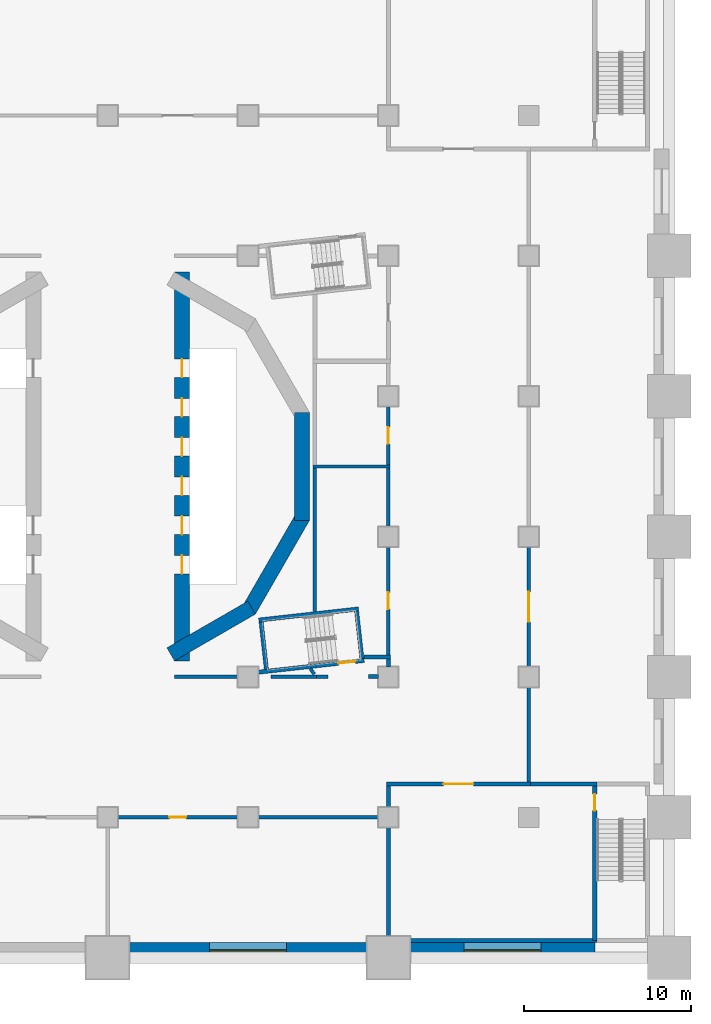
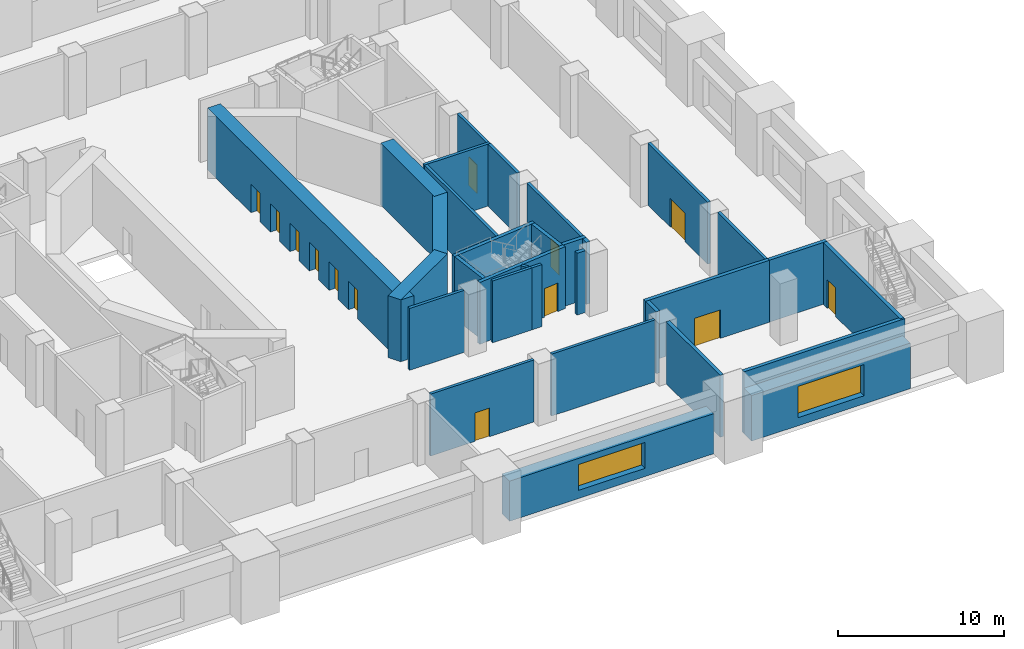
# One storey, part 3 of 17: 32 walls, 13 doors, 2 windows, 15 openings.
"""IFC4 building model written with IfcOpenShell, lengths in metres."""

from ifc_helpers import new_model, si_unit, direction, frame, frame_2d, origin, place, context, subcontext, project, spatial, rectangle, extrude, material, layer, layer_set, type_object, element, fill, save


model = new_model("IFC4")

# Units and contexts
model_context = context("Model", 3, precision=1e-05, world=origin(), true_north=direction((0.0, 1.0)))
body_context = subcontext(model_context, "Body", "Model", "MODEL_VIEW")
ifc_project = project(units=[si_unit("LENGTHUNIT", "METRE"), si_unit("AREAUNIT", "SQUARE_METRE"), si_unit("VOLUMEUNIT", "CUBIC_METRE"), si_unit("PLANEANGLEUNIT", "RADIAN"), si_unit("MASSUNIT", "GRAM", prefix="KILO")], contexts=[model_context])

# Site, building, storey
site_placement = place(None, origin())
site = spatial("IfcSite", under=ifc_project, at=site_placement, CompositionType="ELEMENT")
building_placement = place(site_placement, origin())
building = spatial("IfcBuilding", under=site, at=building_placement, Name="Cantera Rosa Tower", CompositionType="ELEMENT")
storey_placement = place(building_placement, frame((0.0, 0.0, 32.0)))
storey = spatial("IfcBuildingStorey", under=building, at=storey_placement, Name="L05", CompositionType="ELEMENT", Elevation=32.0)

# Walls
ifc_material_1 = material(Name="Masonry blockwork", Category="masonry")
ifc_layer_1 = layer(ifc_material_1, 0.199951171875)
ifc_layer_set_1 = layer_set([ifc_layer_1], Name="Blockwork partition 200")
wall_type_1 = type_object("IfcWallType", Name="Blockwork partition 200", PredefinedType="PARTITIONING", material=ifc_layer_set_1)
wall_1_placement = place(storey_placement, frame((4.0, -12.57666015625, 0.0), z_axis=(0.0, 0.0, 1.0), x_axis=(1.0, 0.0, 0.0)))
element("IfcWall", 1, at=wall_1_placement, inside=storey, type_object=wall_type_1, Name="Partition L05-3", PredefinedType="PARTITIONING", context=body_context, shape_type="SweptSolid", body=[
    extrude(rectangle(XDim=3.800048828125, YDim=0.199951171875, at=frame_2d((1.89990234375, 0.0))), origin(), (0.0, 0.0, 1.0), 4.550048828125),
])
wall_2_placement = place(storey_placement, frame((9.768798828125, -12.57666015625, 0.0), z_axis=(0.0, 0.0, 1.0), x_axis=(1.0, 0.0, 0.0)))
element("IfcWall", 2, at=wall_2_placement, inside=storey, type_object=wall_type_1, Name="Partition L05-4", PredefinedType="PARTITIONING", context=body_context, shape_type="SweptSolid", body=[
    extrude(rectangle(XDim=2.731201171875, YDim=0.199951171875, at=frame_2d((1.36572265625, 0.0))), origin(), (0.0, 0.0, 1.0), 4.550048828125),
])
wall_3_placement = place(storey_placement, frame((12.5, -12.57666015625, 0.0), z_axis=(0.0, 0.0, 1.0), x_axis=(1.0, 0.0, 0.0)))
element("IfcWall", 3, at=wall_3_placement, inside=storey, type_object=wall_type_1, Name="Partition L05-5", PredefinedType="PARTITIONING", context=body_context, shape_type="SweptSolid", body=[
    extrude(rectangle(XDim=0.69873046875, YDim=0.199951171875, at=frame_2d((0.349365234375, 0.0))), origin(), (0.0, 0.0, 1.0), 4.550048828125),
])
wall_4_placement = place(storey_placement, frame((12.36474609375, -12.427978515625, 0.0), z_axis=(0.0, 0.0, 1.0), x_axis=(-0.586657106045, 0.809835440029, 0.0)))
element("IfcWall", 4, at=wall_4_placement, inside=storey, type_object=wall_type_1, Name="Partition L05-17", PredefinedType="PARTITIONING", context=body_context, shape_type="SweptSolid", body=[
    extrude(rectangle(XDim=0.412353515625, YDim=0.199951171875, at=frame_2d((0.2060546875, 0.0))), origin(), (0.0, 0.0, 1.0), 4.550048828125),
])
wall_5_placement = place(storey_placement, frame((12.39990234375, -8.6923828125, 0.0), z_axis=(0.0, 0.0, 1.0), x_axis=(0.0, 1.0, 0.0)))
element("IfcWall", 5, at=wall_5_placement, inside=storey, type_object=wall_type_1, Name="Partition L05-18", PredefinedType="PARTITIONING", context=body_context, shape_type="SweptSolid", body=[
    extrude(rectangle(XDim=8.59228515625, YDim=0.199951171875, at=frame_2d((4.296142578125, 0.0))), origin(), (0.0, 0.0, 1.0), 4.550048828125),
])
wall_6_placement = place(storey_placement, frame((12.300048828125, 0.0, 0.0), z_axis=(0.0, 0.0, 1.0), x_axis=(1.0, 0.0, 0.0)))
element("IfcWall", 6, at=wall_6_placement, inside=storey, type_object=wall_type_1, Name="Partition L05-21", PredefinedType="PARTITIONING", context=body_context, shape_type="SweptSolid", body=[
    extrude(rectangle(XDim=4.599853515625, YDim=0.199951171875, at=frame_2d((2.2998046875, 0.0))), origin(), (0.0, 0.0, 1.0), 4.550048828125),
])

# Wall, opening, door
wall_7_placement = place(storey_placement, frame((16.800048828125, -11.27490234375, 0.0), z_axis=(0.0, 0.0, 1.0), x_axis=(0.0, 1.0, 0.0)))
wall_7 = element("IfcWall", 7, at=wall_7_placement, inside=storey, type_object=wall_type_1, Name="Partition L05-25", PredefinedType="PARTITIONING", context=body_context, shape_type="SweptSolid", body=[
    extrude(rectangle(XDim=6.474853515625, YDim=0.199951171875, at=frame_2d((3.2373046875, 0.0))), origin(), (0.0, 0.0, 1.0), 4.550048828125),
])
opening_1_placement = place(wall_7_placement, frame((2.737548828125, 0.0, 0.0)))
opening_1 = element("IfcOpeningElement", 8, at=opening_1_placement, cuts=wall_7, Name="Opening L05-008", PredefinedType="OPENING", context=body_context, shape_type="SweptSolid", body=[
    extrude(rectangle(XDim=1.0, YDim=2.10009765625, at=frame_2d((0.5, 1.050048828125))), frame((0.0, 0.10986328125, 0.0), z_axis=(0.0, -1.0, 0.0), x_axis=(1.0, 0.0, 0.0)), (0.0, 0.0, 1.0), 0.219970703125),
])
ifc_material_2 = material(Name="Timber", Category="wood")
door_type_1 = type_object("IfcDoorType", Name="Door 1000x2100", OperationType="NOTDEFINED", PredefinedType="DOOR", material=ifc_material_2)
door_1_placement = place(opening_1_placement, origin())
door_1 = element("IfcDoor", 9, at=door_1_placement, inside=storey, type_object=door_type_1, Name="Door L05-008", OverallHeight=2.10009765625, OverallWidth=1.0, PredefinedType="DOOR", context=body_context, shape_type="SweptSolid", body=[
    extrude(rectangle(XDim=1.0, YDim=2.10009765625, at=frame_2d((0.5, 1.050048828125))), frame((0.0, 0.02490234375, 0.0), z_axis=(0.0, -1.0, 0.0), x_axis=(1.0, 0.0, 0.0)), (0.0, 0.0, 1.0), 0.050048828125),
])
fill(opening_1, door_1)

# Wall
wall_8_placement = place(storey_placement, frame((16.800048828125, -3.60009765625, 0.0), z_axis=(0.0, 0.0, 1.0), x_axis=(0.0, 1.0, 0.0)))
element("IfcWall", 10, at=wall_8_placement, inside=storey, type_object=wall_type_1, Name="Partition L05-26", PredefinedType="PARTITIONING", context=body_context, shape_type="SweptSolid", body=[
    extrude(rectangle(XDim=3.5, YDim=0.199951171875, at=frame_2d((1.75, 0.0))), origin(), (0.0, 0.0, 1.0), 4.550048828125),
])

# Wall, opening, door
wall_9_placement = place(storey_placement, frame((16.800048828125, 0.10009765625, 0.0), z_axis=(0.0, 0.0, 1.0), x_axis=(0.0, 1.0, 0.0)))
wall_9 = element("IfcWall", 11, at=wall_9_placement, inside=storey, type_object=wall_type_1, Name="Partition L05-27", PredefinedType="PARTITIONING", context=body_context, shape_type="SweptSolid", body=[
    extrude(rectangle(XDim=3.5, YDim=0.199951171875, at=frame_2d((1.75, 0.0))), origin(), (0.0, 0.0, 1.0), 4.550048828125),
])
opening_2_placement = place(wall_9_placement, frame((1.25, 0.0, 0.0)))
opening_2 = element("IfcOpeningElement", 12, at=opening_2_placement, cuts=wall_9, Name="Opening L05-009", PredefinedType="OPENING", context=body_context, shape_type="SweptSolid", body=[
    extrude(rectangle(XDim=1.0, YDim=2.10009765625, at=frame_2d((0.5, 1.050048828125))), frame((0.0, 0.10986328125, 0.0), z_axis=(0.0, -1.0, 0.0), x_axis=(1.0, 0.0, 0.0)), (0.0, 0.0, 1.0), 0.219970703125),
])
door_2_placement = place(opening_2_placement, origin())
door_2 = element("IfcDoor", 13, at=door_2_placement, inside=storey, type_object=door_type_1, Name="Door L05-009", OverallHeight=2.10009765625, OverallWidth=1.0, PredefinedType="DOOR", context=body_context, shape_type="SweptSolid", body=[
    extrude(rectangle(XDim=1.0, YDim=2.10009765625, at=frame_2d((0.5, 1.050048828125))), frame((0.0, 0.02490234375, 0.0), z_axis=(0.0, -1.0, 0.0), x_axis=(1.0, 0.0, 0.0)), (0.0, 0.0, 1.0), 0.050048828125),
])
fill(opening_2, door_2)

wall_10_placement = place(storey_placement, frame((0.60009765625, -21.0, 0.0), z_axis=(0.0, 0.0, 1.0), x_axis=(1.0, 0.0, 0.0)))
wall_10 = element("IfcWall", 14, at=wall_10_placement, inside=storey, type_object=wall_type_1, Name="Partition L05-84", PredefinedType="PARTITIONING", context=body_context, shape_type="SweptSolid", body=[
    extrude(rectangle(XDim=7.199951171875, YDim=0.199951171875, at=frame_2d((3.60009765625, 0.0))), origin(), (0.0, 0.0, 1.0), 4.550048828125),
])
opening_3_placement = place(wall_10_placement, frame((3.10009765625, 0.0, 0.0)))
opening_3 = element("IfcOpeningElement", 15, at=opening_3_placement, cuts=wall_10, Name="Opening L05-004", PredefinedType="OPENING", context=body_context, shape_type="SweptSolid", body=[
    extrude(rectangle(XDim=1.0, YDim=2.10009765625, at=frame_2d((0.5, 1.050048828125))), frame((0.0, 0.10986328125, 0.0), z_axis=(0.0, -1.0, 0.0), x_axis=(1.0, 0.0, 0.0)), (0.0, 0.0, 1.0), 0.219970703125),
])
door_3_placement = place(opening_3_placement, origin())
door_3 = element("IfcDoor", 16, at=door_3_placement, inside=storey, type_object=door_type_1, Name="Door L05-004", OverallHeight=2.10009765625, OverallWidth=1.0, PredefinedType="DOOR", context=body_context, shape_type="SweptSolid", body=[
    extrude(rectangle(XDim=1.0, YDim=2.10009765625, at=frame_2d((0.5, 1.050048828125))), frame((0.0, 0.02490234375, 0.0), z_axis=(0.0, -1.0, 0.0), x_axis=(1.0, 0.0, 0.0)), (0.0, 0.0, 1.0), 0.050048828125),
])
fill(opening_3, door_3)

# Walls
wall_11_placement = place(storey_placement, frame((9.0, -21.0, 0.0), z_axis=(0.0, 0.0, 1.0), x_axis=(1.0, 0.0, 0.0)))
element("IfcWall", 17, at=wall_11_placement, inside=storey, type_object=wall_type_1, Name="Partition L05-85", PredefinedType="PARTITIONING", context=body_context, shape_type="SweptSolid", body=[
    extrude(rectangle(XDim=7.199951171875, YDim=0.199951171875, at=frame_2d((3.60009765625, 0.0))), origin(), (0.0, 0.0, 1.0), 4.550048828125),
])
wall_12_placement = place(storey_placement, frame((25.199951171875, -18.875, 0.0), z_axis=(0.0, 0.0, 1.0), x_axis=(0.0, 1.0, 0.0)))
element("IfcWall", 18, at=wall_12_placement, inside=storey, type_object=wall_type_1, Name="Partition L05-86", PredefinedType="PARTITIONING", context=body_context, shape_type="SweptSolid", body=[
    extrude(rectangle(XDim=5.675048828125, YDim=0.199951171875, at=frame_2d((2.83740234375, 0.0))), origin(), (0.0, 0.0, 1.0), 4.550048828125),
])

# Wall, opening, door
wall_13_placement = place(storey_placement, frame((25.199951171875, -12.0, 0.0), z_axis=(0.0, 0.0, 1.0), x_axis=(0.0, 1.0, 0.0)))
wall_13 = element("IfcWall", 19, at=wall_13_placement, inside=storey, type_object=wall_type_1, Name="Partition L05-87", PredefinedType="PARTITIONING", context=body_context, shape_type="SweptSolid", body=[
    extrude(rectangle(XDim=7.199951171875, YDim=0.199951171875, at=frame_2d((3.60009765625, 0.0))), origin(), (0.0, 0.0, 1.0), 4.550048828125),
])
opening_4_placement = place(wall_13_placement, frame((2.699951171875, 0.0, 0.0)))
opening_4 = element("IfcOpeningElement", 20, at=opening_4_placement, cuts=wall_13, Name="Opening L05-005", PredefinedType="OPENING", context=body_context, shape_type="SweptSolid", body=[
    extrude(rectangle(XDim=1.800048828125, YDim=2.10009765625, at=frame_2d((0.89990234375, 1.050048828125))), frame((0.0, 0.10986328125, 0.0), z_axis=(0.0, -1.0, 0.0), x_axis=(1.0, 0.0, 0.0)), (0.0, 0.0, 1.0), 0.219970703125),
])
ifc_material_3 = material(Name="Timber", Category="wood")
door_type_2 = type_object("IfcDoorType", Name="Double door 1800x2100", OperationType="NOTDEFINED", PredefinedType="DOOR", material=ifc_material_3)
door_4_placement = place(opening_4_placement, origin())
door_4 = element("IfcDoor", 21, at=door_4_placement, inside=storey, type_object=door_type_2, Name="Door L05-005", OperationType="DOUBLE_DOOR_SINGLE_SWING", OverallHeight=2.10009765625, OverallWidth=1.800048828125, PredefinedType="DOOR", context=body_context, shape_type="SweptSolid", body=[
    extrude(rectangle(XDim=1.800048828125, YDim=2.10009765625, at=frame_2d((0.89990234375, 1.050048828125))), frame((0.0, 0.02490234375, 0.0), z_axis=(0.0, -1.0, 0.0), x_axis=(1.0, 0.0, 0.0)), (0.0, 0.0, 1.0), 0.050048828125),
])
fill(opening_4, door_4)

# Walls
ifc_material_4 = material(Name="Concrete C70/85", Category="concrete")
ifc_layer_2 = layer(ifc_material_4, 0.89990234375)
ifc_layer_set_2 = layer_set([ifc_layer_2], Name="Drum wall 900")
wall_type_2 = type_object("IfcWallType", Name="Drum wall 900", PredefinedType="SHEAR", material=ifc_layer_set_2)
wall_14_placement = place(storey_placement, frame((11.6240234375, 3.2353515625, 0.0), z_axis=(0.0, 0.0, 1.0), x_axis=(0.0, -1.0, 0.0)))
element("IfcWall", 22, at=wall_14_placement, inside=storey, type_object=wall_type_2, Name="Drum wall east 3 L05", PredefinedType="SHEAR", context=body_context, shape_type="SweptSolid", body=[
    extrude(rectangle(XDim=6.470703125, YDim=0.89990234375, at=frame_2d((3.2353515625, 0.0))), origin(), (0.0, 0.0, 1.0), 4.550048828125),
])
wall_15_placement = place(storey_placement, frame((11.684326171875, -3.01025390625, 0.0), z_axis=(0.0, 0.0, 1.0), x_axis=(-0.499990282633, -0.866031014036, 0.0)))
element("IfcWall", 23, at=wall_15_placement, inside=storey, type_object=wall_type_2, Name="Drum wall east 4 L05", PredefinedType="SHEAR", context=body_context, shape_type="SweptSolid", body=[
    extrude(rectangle(XDim=6.470458984375, YDim=0.89990234375, at=frame_2d((3.2353515625, 0.0))), origin(), (0.0, 0.0, 1.0), 4.550048828125),
])
wall_16_placement = place(storey_placement, frame((8.61376953125, -8.44921875, 0.0), z_axis=(0.0, 0.0, 1.0), x_axis=(-0.866026961591, -0.49999730179, 0.0)))
element("IfcWall", 24, at=wall_16_placement, inside=storey, type_object=wall_type_2, Name="Drum wall east 5 L05", PredefinedType="SHEAR", context=body_context, shape_type="SweptSolid", body=[
    extrude(rectangle(XDim=5.58740234375, YDim=0.89990234375, at=frame_2d((2.793701171875, 0.0))), origin(), (0.0, 0.0, 1.0), 4.550048828125),
])

# Wall, openings, doors
wall_17_placement = place(storey_placement, frame((4.449951171875, -11.632568359375, 0.0), z_axis=(0.0, 0.0, 1.0), x_axis=(0.0, 1.0, 0.0)))
wall_17 = element("IfcWall", 25, at=wall_17_placement, inside=storey, type_object=wall_type_2, Name="Drum wall east 6 L05", PredefinedType="SHEAR", context=body_context, shape_type="SweptSolid", body=[
    extrude(rectangle(XDim=23.26513671875, YDim=0.89990234375, at=frame_2d((11.632568359375, 0.0))), origin(), (0.0, 0.0, 1.0), 4.550048828125),
])
opening_5_placement = place(wall_17_placement, frame((7.5576171875, 0.0, 0.0)))
opening_5 = element("IfcOpeningElement", 26, at=opening_5_placement, cuts=wall_17, Name="Opening LD-FF1-L05", PredefinedType="OPENING", context=body_context, shape_type="SweptSolid", body=[
    extrude(rectangle(XDim=1.10009765625, YDim=2.10009765625, at=frame_2d((0.550048828125, 1.050048828125))), frame((0.0, 0.4599609375, 0.0), z_axis=(0.0, -1.0, 0.0), x_axis=(1.0, 0.0, 0.0)), (0.0, 0.0, 1.0), 0.919921875),
])
opening_6_placement = place(wall_17_placement, frame((9.907470703125, 0.0, 0.0)))
opening_6 = element("IfcOpeningElement", 27, at=opening_6_placement, cuts=wall_17, Name="Opening LD-FF2-L05", PredefinedType="OPENING", context=body_context, shape_type="SweptSolid", body=[
    extrude(rectangle(XDim=1.10009765625, YDim=2.10009765625, at=frame_2d((0.550048828125, 1.050048828125))), frame((0.0, 0.4599609375, 0.0), z_axis=(0.0, -1.0, 0.0), x_axis=(1.0, 0.0, 0.0)), (0.0, 0.0, 1.0), 0.919921875),
])
opening_7_placement = place(wall_17_placement, frame((12.257568359375, 0.0, 0.0)))
opening_7 = element("IfcOpeningElement", 28, at=opening_7_placement, cuts=wall_17, Name="Opening LD-P1-L05", PredefinedType="OPENING", context=body_context, shape_type="SweptSolid", body=[
    extrude(rectangle(XDim=1.10009765625, YDim=2.10009765625, at=frame_2d((0.550048828125, 1.050048828125))), frame((0.0, 0.4599609375, 0.0), z_axis=(0.0, -1.0, 0.0), x_axis=(1.0, 0.0, 0.0)), (0.0, 0.0, 1.0), 0.919921875),
])
opening_8_placement = place(wall_17_placement, frame((14.607421875, 0.0, 0.0)))
opening_8 = element("IfcOpeningElement", 29, at=opening_8_placement, cuts=wall_17, Name="Opening LD-P2-L05", PredefinedType="OPENING", context=body_context, shape_type="SweptSolid", body=[
    extrude(rectangle(XDim=1.10009765625, YDim=2.10009765625, at=frame_2d((0.550048828125, 1.050048828125))), frame((0.0, 0.4599609375, 0.0), z_axis=(0.0, -1.0, 0.0), x_axis=(1.0, 0.0, 0.0)), (0.0, 0.0, 1.0), 0.919921875),
])
opening_9_placement = place(wall_17_placement, frame((5.20751953125, 0.0, 0.0)))
opening_9 = element("IfcOpeningElement", 30, at=opening_9_placement, cuts=wall_17, Name="Opening LD-P6-L05", PredefinedType="OPENING", context=body_context, shape_type="SweptSolid", body=[
    extrude(rectangle(XDim=1.10009765625, YDim=2.10009765625, at=frame_2d((0.550048828125, 1.050048828125))), frame((0.0, 0.4599609375, 0.0), z_axis=(0.0, -1.0, 0.0), x_axis=(1.0, 0.0, 0.0)), (0.0, 0.0, 1.0), 0.919921875),
])
opening_10_placement = place(wall_17_placement, frame((16.95751953125, 0.0, 0.0)))
opening_10 = element("IfcOpeningElement", 31, at=opening_10_placement, cuts=wall_17, Name="Opening LD-PC1-L05", PredefinedType="OPENING", context=body_context, shape_type="SweptSolid", body=[
    extrude(rectangle(XDim=1.10009765625, YDim=2.10009765625, at=frame_2d((0.550048828125, 1.050048828125))), frame((0.0, 0.4599609375, 0.0), z_axis=(0.0, -1.0, 0.0), x_axis=(1.0, 0.0, 0.0)), (0.0, 0.0, 1.0), 0.919921875),
])
ifc_material_5 = material(Name="Steel S355J2 (EN 10025-2)", Category="steel")
door_type_3 = type_object("IfcDoorType", Name="LANDING DOOR 1100x2100", OperationType="NOTDEFINED", PredefinedType="DOOR", material=ifc_material_5)
door_5_placement = place(opening_5_placement, origin())
door_5 = element("IfcDoor", 32, at=door_5_placement, inside=storey, type_object=door_type_3, Name="LANDING DOOR FF1 L05", OperationType="SLIDING_TO_LEFT", OverallHeight=2.10009765625, OverallWidth=1.10009765625, PredefinedType="DOOR", context=body_context, shape_type="SweptSolid", body=[
    extrude(rectangle(XDim=1.10009765625, YDim=2.10009765625, at=frame_2d((0.550048828125, 1.050048828125))), frame((0.0, 0.02490234375, 0.0), z_axis=(0.0, -1.0, 0.0), x_axis=(1.0, 0.0, 0.0)), (0.0, 0.0, 1.0), 0.050048828125),
])
fill(opening_5, door_5)
door_6_placement = place(opening_6_placement, origin())
door_6 = element("IfcDoor", 33, at=door_6_placement, inside=storey, type_object=door_type_3, Name="LANDING DOOR FF2 L05", OperationType="SLIDING_TO_LEFT", OverallHeight=2.10009765625, OverallWidth=1.10009765625, PredefinedType="DOOR", context=body_context, shape_type="SweptSolid", body=[
    extrude(rectangle(XDim=1.10009765625, YDim=2.10009765625, at=frame_2d((0.550048828125, 1.050048828125))), frame((0.0, 0.02490234375, 0.0), z_axis=(0.0, -1.0, 0.0), x_axis=(1.0, 0.0, 0.0)), (0.0, 0.0, 1.0), 0.050048828125),
])
fill(opening_6, door_6)
door_7_placement = place(opening_7_placement, origin())
door_7 = element("IfcDoor", 34, at=door_7_placement, inside=storey, type_object=door_type_3, Name="LANDING DOOR P1 L05", OperationType="SLIDING_TO_LEFT", OverallHeight=2.10009765625, OverallWidth=1.10009765625, PredefinedType="DOOR", context=body_context, shape_type="SweptSolid", body=[
    extrude(rectangle(XDim=1.10009765625, YDim=2.10009765625, at=frame_2d((0.550048828125, 1.050048828125))), frame((0.0, 0.02490234375, 0.0), z_axis=(0.0, -1.0, 0.0), x_axis=(1.0, 0.0, 0.0)), (0.0, 0.0, 1.0), 0.050048828125),
])
fill(opening_7, door_7)
door_8_placement = place(opening_8_placement, origin())
door_8 = element("IfcDoor", 35, at=door_8_placement, inside=storey, type_object=door_type_3, Name="LANDING DOOR P2 L05", OperationType="SLIDING_TO_LEFT", OverallHeight=2.10009765625, OverallWidth=1.10009765625, PredefinedType="DOOR", context=body_context, shape_type="SweptSolid", body=[
    extrude(rectangle(XDim=1.10009765625, YDim=2.10009765625, at=frame_2d((0.550048828125, 1.050048828125))), frame((0.0, 0.02490234375, 0.0), z_axis=(0.0, -1.0, 0.0), x_axis=(1.0, 0.0, 0.0)), (0.0, 0.0, 1.0), 0.050048828125),
])
fill(opening_8, door_8)
door_9_placement = place(opening_9_placement, origin())
door_9 = element("IfcDoor", 36, at=door_9_placement, inside=storey, type_object=door_type_3, Name="LANDING DOOR P6 L05", OperationType="SLIDING_TO_LEFT", OverallHeight=2.10009765625, OverallWidth=1.10009765625, PredefinedType="DOOR", context=body_context, shape_type="SweptSolid", body=[
    extrude(rectangle(XDim=1.10009765625, YDim=2.10009765625, at=frame_2d((0.550048828125, 1.050048828125))), frame((0.0, 0.02490234375, 0.0), z_axis=(0.0, -1.0, 0.0), x_axis=(1.0, 0.0, 0.0)), (0.0, 0.0, 1.0), 0.050048828125),
])
fill(opening_9, door_9)
door_10_placement = place(opening_10_placement, origin())
door_10 = element("IfcDoor", 37, at=door_10_placement, inside=storey, type_object=door_type_3, Name="LANDING DOOR PC1 L05", OperationType="SLIDING_TO_LEFT", OverallHeight=2.10009765625, OverallWidth=1.10009765625, PredefinedType="DOOR", context=body_context, shape_type="SweptSolid", body=[
    extrude(rectangle(XDim=1.10009765625, YDim=2.10009765625, at=frame_2d((0.550048828125, 1.050048828125))), frame((0.0, 0.02490234375, 0.0), z_axis=(0.0, -1.0, 0.0), x_axis=(1.0, 0.0, 0.0)), (0.0, 0.0, 1.0), 0.050048828125),
])
fill(opening_10, door_10)

# Walls
ifc_material_6 = material(Name="Masonry blockwork", Category="masonry")
ifc_layer_3 = layer(ifc_material_6, 0.25)
ifc_layer_set_3 = layer_set([ifc_layer_3], Name="Fire-rated external wall 250")
wall_type_3 = type_object("IfcWallType", Name="Fire-rated external wall 250", PredefinedType="PARTITIONING", material=ifc_layer_set_3)
wall_18_placement = place(storey_placement, frame((18.10009765625, -28.375, 0.0), z_axis=(0.0, 0.0, 1.0), x_axis=(1.0, 0.0, 0.0)))
element("IfcWall", 38, at=wall_18_placement, inside=storey, type_object=wall_type_3, Name="Fire wall L05-74", PredefinedType="PARTITIONING", context=body_context, shape_type="SweptSolid", body=[
    extrude(rectangle(XDim=11.1748046875, YDim=0.25, at=frame_2d((5.58740234375, 0.0))), origin(), (0.0, 0.0, 1.0), 4.550048828125),
])
ifc_material_7 = material(Name="Masonry blockwork", Category="masonry")
ifc_layer_4 = layer(ifc_material_7, 0.25)
ifc_layer_set_4 = layer_set([ifc_layer_4], Name="Fire-rated wall 250")
wall_type_4 = type_object("IfcWallType", Name="Fire-rated wall 250", PredefinedType="PARTITIONING", material=ifc_layer_set_4)
wall_19_placement = place(storey_placement, frame((15.613525390625, -12.57666015625, 0.0), z_axis=(0.0, 0.0, 1.0), x_axis=(1.0, 0.0, 0.0)))
element("IfcWall", 39, at=wall_19_placement, inside=storey, type_object=wall_type_4, Name="Fire wall L05-6", PredefinedType="PARTITIONING", context=body_context, shape_type="SweptSolid", body=[
    extrude(rectangle(XDim=0.58642578125, YDim=0.25, at=frame_2d((0.293212890625, 0.0))), origin(), (0.0, 0.0, 1.0), 4.550048828125),
])
wall_20_placement = place(storey_placement, frame((16.800048828125, -28.10009765625, 0.0), z_axis=(0.0, 0.0, 1.0), x_axis=(0.0, 1.0, 0.0)))
element("IfcWall", 40, at=wall_20_placement, inside=storey, type_object=wall_type_4, Name="Fire wall L05-22", PredefinedType="PARTITIONING", context=body_context, shape_type="SweptSolid", body=[
    extrude(rectangle(XDim=6.5, YDim=0.25, at=frame_2d((3.25, 0.0))), origin(), (0.0, 0.0, 1.0), 4.550048828125),
])
wall_21_placement = place(storey_placement, frame((16.800048828125, -20.39990234375, 0.0), z_axis=(0.0, 0.0, 1.0), x_axis=(0.0, 1.0, 0.0)))
element("IfcWall", 41, at=wall_21_placement, inside=storey, type_object=wall_type_4, Name="Fire wall L05-23", PredefinedType="PARTITIONING", context=body_context, shape_type="SweptSolid", body=[
    extrude(rectangle(XDim=1.27490234375, YDim=0.25, at=frame_2d((0.637451171875, 0.0))), origin(), (0.0, 0.0, 1.0), 4.550048828125),
])
wall_22_placement = place(storey_placement, frame((16.800048828125, -12.0, 0.0), z_axis=(0.0, 0.0, 1.0), x_axis=(0.0, 1.0, 0.0)))
element("IfcWall", 42, at=wall_22_placement, inside=storey, type_object=wall_type_4, Name="Fire wall L05-24", PredefinedType="PARTITIONING", context=body_context, shape_type="SweptSolid", body=[
    extrude(rectangle(XDim=0.47509765625, YDim=0.25, at=frame_2d((0.237548828125, 0.0))), origin(), (0.0, 0.0, 1.0), 4.550048828125),
])
wall_23_placement = place(storey_placement, frame((15.329345703125, -11.39990234375, 0.0), z_axis=(0.0, 0.0, 1.0), x_axis=(1.0, 0.0, 0.0)))
element("IfcWall", 43, at=wall_23_placement, inside=storey, type_object=wall_type_4, Name="Fire wall L05-32", PredefinedType="PARTITIONING", context=body_context, shape_type="SweptSolid", body=[
    extrude(rectangle(XDim=1.595703125, YDim=0.25, at=frame_2d((0.7978515625, 0.0))), origin(), (0.0, 0.0, 1.0), 4.550048828125),
])

# Wall, opening, door
wall_24_placement = place(storey_placement, frame((16.675048828125, -19.0, 0.0), z_axis=(0.0, 0.0, 1.0), x_axis=(1.0, 0.0, 0.0)))
wall_24 = element("IfcWall", 44, at=wall_24_placement, inside=storey, type_object=wall_type_4, Name="Fire wall L05-69", PredefinedType="PARTITIONING", context=body_context, shape_type="SweptSolid", body=[
    extrude(rectangle(XDim=8.625, YDim=0.25, at=frame_2d((4.3125, 0.0))), origin(), (0.0, 0.0, 1.0), 4.550048828125),
])
opening_11_placement = place(wall_24_placement, frame((3.41259765625, 0.0, 0.0)))
opening_11 = element("IfcOpeningElement", 45, at=opening_11_placement, cuts=wall_24, Name="Opening L05-018", PredefinedType="OPENING", context=body_context, shape_type="SweptSolid", body=[
    extrude(rectangle(XDim=1.800048828125, YDim=2.10009765625, at=frame_2d((0.89990234375, 1.050048828125))), frame((0.0, 0.135009765625, 0.0), z_axis=(0.0, -1.0, 0.0), x_axis=(1.0, 0.0, 0.0)), (0.0, 0.0, 1.0), 0.27001953125),
])
ifc_material_8 = material(Name="Steel S355J2 (EN 10025-2)", Category="steel")
door_type_4 = type_object("IfcDoorType", Name="Fire double door 1800x2100", OperationType="NOTDEFINED", PredefinedType="DOOR", material=ifc_material_8)
door_11_placement = place(opening_11_placement, origin())
door_11 = element("IfcDoor", 46, at=door_11_placement, inside=storey, type_object=door_type_4, Name="Door L05-018", OperationType="DOUBLE_DOOR_SINGLE_SWING", OverallHeight=2.10009765625, OverallWidth=1.800048828125, PredefinedType="DOOR", context=body_context, shape_type="SweptSolid", body=[
    extrude(rectangle(XDim=1.800048828125, YDim=2.10009765625, at=frame_2d((0.89990234375, 1.050048828125))), frame((0.0, 0.02490234375, 0.0), z_axis=(0.0, -1.0, 0.0), x_axis=(1.0, 0.0, 0.0)), (0.0, 0.0, 1.0), 0.050048828125),
])
fill(opening_11, door_11)

# Wall
wall_25_placement = place(storey_placement, frame((25.300048828125, -19.0, 0.0), z_axis=(0.0, 0.0, 1.0), x_axis=(1.0, 0.0, 0.0)))
element("IfcWall", 47, at=wall_25_placement, inside=storey, type_object=wall_type_4, Name="Fire wall L05-70", PredefinedType="PARTITIONING", context=body_context, shape_type="SweptSolid", body=[
    extrude(rectangle(XDim=3.974853515625, YDim=0.25, at=frame_2d((1.9873046875, 0.0))), origin(), (0.0, 0.0, 1.0), 4.550048828125),
])

# Wall, opening, door
ifc_material_9 = material(Name="Concrete C50/60", Category="concrete")
ifc_layer_5 = layer(ifc_material_9, 0.25)
ifc_layer_set_5 = layer_set([ifc_layer_5], Name="RC stair wall 250 C50/60")
wall_type_5 = type_object("IfcWallType", Name="RC stair wall 250", PredefinedType="SOLIDWALL", material=ifc_layer_set_5)
wall_26_placement = place(storey_placement, frame((29.14990234375, -28.375, 0.0), z_axis=(0.0, 0.0, 1.0), x_axis=(0.0, 1.0, 0.0)))
wall_26 = element("IfcWall", 48, at=wall_26_placement, inside=storey, type_object=wall_type_5, Name="Stair wall L05-52", PredefinedType="SOLIDWALL", context=body_context, shape_type="SweptSolid", body=[
    extrude(rectangle(XDim=9.25, YDim=0.25, at=frame_2d((4.625, 0.0))), origin(), (0.0, 0.0, 1.0), 4.550048828125),
])
opening_12_placement = place(wall_26_placement, frame((7.77490234375, 0.0, 0.0)))
opening_12 = element("IfcOpeningElement", 49, at=opening_12_placement, cuts=wall_26, Name="Opening L05-019", PredefinedType="OPENING", context=body_context, shape_type="SweptSolid", body=[
    extrude(rectangle(XDim=1.0, YDim=2.10009765625, at=frame_2d((0.5, 1.050048828125))), frame((0.0, 0.135009765625, 0.0), z_axis=(0.0, -1.0, 0.0), x_axis=(1.0, 0.0, 0.0)), (0.0, 0.0, 1.0), 0.27001953125),
])
ifc_material_10 = material(Name="Steel S355J2 (EN 10025-2)", Category="steel")
door_type_5 = type_object("IfcDoorType", Name="Fire door 1000x2100 EI 120", OperationType="NOTDEFINED", PredefinedType="DOOR", material=ifc_material_10)
door_12_placement = place(opening_12_placement, origin())
door_12 = element("IfcDoor", 50, at=door_12_placement, inside=storey, type_object=door_type_5, Name="Door L05-019", OverallHeight=2.10009765625, OverallWidth=1.0, PredefinedType="DOOR", context=body_context, shape_type="SweptSolid", body=[
    extrude(rectangle(XDim=1.0, YDim=2.10009765625, at=frame_2d((0.5, 1.050048828125))), frame((0.0, 0.02490234375, 0.0), z_axis=(0.0, -1.0, 0.0), x_axis=(1.0, 0.0, 0.0)), (0.0, 0.0, 1.0), 0.050048828125),
])
fill(opening_12, door_12)

# Wall
wall_27_placement = place(storey_placement, frame((14.900390625, -8.66650390625, 0.0), z_axis=(0.0, 0.0, 1.0), x_axis=(0.110243491536, -0.993904609394, 0.0)))
element("IfcWall", 51, at=wall_27_placement, inside=storey, type_object=wall_type_5, Name="Stair wall ST-14 L05-1", PredefinedType="SOLIDWALL", context=body_context, shape_type="SweptSolid", body=[
    extrude(rectangle(XDim=2.85009765625, YDim=0.25, at=frame_2d((1.425048828125, 0.0))), origin(), (0.0, 0.0, 1.0), 4.550048828125),
])

# Wall, opening, door
wall_28_placement = place(storey_placement, frame((15.352783203125, -11.609619140625, 0.0), z_axis=(0.0, 0.0, 1.0), x_axis=(-0.993898660621, -0.110297109738, 0.0)))
wall_28 = element("IfcWall", 52, at=wall_28_placement, inside=storey, type_object=wall_type_5, Name="Stair wall ST-14 L05-2", PredefinedType="SOLIDWALL", context=body_context, shape_type="SweptSolid", body=[
    extrude(rectangle(XDim=6.379150390625, YDim=0.25, at=frame_2d((3.189453125, 0.0))), origin(), (0.0, 0.0, 1.0), 4.550048828125),
])
opening_13_placement = place(wall_28_placement, frame((0.550048828125, 0.0, 0.0)))
opening_13 = element("IfcOpeningElement", 53, at=opening_13_placement, cuts=wall_28, Name="Opening L05-ST-14", PredefinedType="OPENING", context=body_context, shape_type="SweptSolid", body=[
    extrude(rectangle(XDim=1.0, YDim=2.10009765625, at=frame_2d((0.5, 1.050048828125))), frame((0.0, 0.135009765625, 0.0), z_axis=(0.0, -1.0, 0.0), x_axis=(1.0, 0.0, 0.0)), (0.0, 0.0, 1.0), 0.27001953125),
])
door_13_placement = place(opening_13_placement, origin())
door_13 = element("IfcDoor", 54, at=door_13_placement, inside=storey, type_object=door_type_5, Name="Door L05-ST-14", OverallHeight=2.10009765625, OverallWidth=1.0, PredefinedType="DOOR", context=body_context, shape_type="SweptSolid", body=[
    extrude(rectangle(XDim=1.0, YDim=2.10009765625, at=frame_2d((0.5, 1.050048828125))), frame((0.0, 0.02490234375, 0.0), z_axis=(0.0, -1.0, 0.0), x_axis=(1.0, 0.0, 0.0)), (0.0, 0.0, 1.0), 0.050048828125),
])
fill(opening_13, door_13)

# Walls
wall_29_placement = place(storey_placement, frame((9.499755859375, -12.133544921875, 0.0), z_axis=(0.0, 0.0, 1.0), x_axis=(-0.110328108544, 0.993895220063, 0.0)))
element("IfcWall", 55, at=wall_29_placement, inside=storey, type_object=wall_type_5, Name="Stair wall ST-14 L05-3", PredefinedType="SOLIDWALL", context=body_context, shape_type="SweptSolid", body=[
    extrude(rectangle(XDim=2.85009765625, YDim=0.25, at=frame_2d((1.425048828125, 0.0))), origin(), (0.0, 0.0, 1.0), 4.550048828125),
])
wall_30_placement = place(storey_placement, frame((9.04736328125, -9.1904296875, 0.0), z_axis=(0.0, 0.0, 1.0), x_axis=(0.993897125329, 0.110310943534, 0.0)))
element("IfcWall", 56, at=wall_30_placement, inside=storey, type_object=wall_type_5, Name="Stair wall ST-14 L05-4", PredefinedType="SOLIDWALL", context=body_context, shape_type="SweptSolid", body=[
    extrude(rectangle(XDim=6.0, YDim=0.25, at=frame_2d((3.0, 0.0))), origin(), (0.0, 0.0, 1.0), 4.550048828125),
])

# Wall, opening, window
ifc_material_11 = material(Name="Concrete C40/50 with limestone facing", Category="masonry")
ifc_layer_6 = layer(ifc_material_11, 0.89990234375)
ifc_layer_set_6 = layer_set([ifc_layer_6], Name="Stone podium wall 900")
wall_type_6 = type_object("IfcWallType", Name="Stone podium wall 900", PredefinedType="SOLIDWALL", material=ifc_layer_set_6)
wall_31_placement = place(storey_placement, frame((29.14990234375, -28.949951171875, 0.0), z_axis=(0.0, 0.0, 1.0), x_axis=(-1.0, 0.0, 0.0)))
wall_31 = element("IfcWall", 57, at=wall_31_placement, inside=storey, type_object=wall_type_6, Name="Stone wall S L05-4", PredefinedType="SOLIDWALL", context=body_context, shape_type="SweptSolid", body=[
    extrude(rectangle(XDim=11.0498046875, YDim=0.89990234375, at=frame_2d((5.52490234375, 0.0))), origin(), (0.0, 0.0, 1.0), 3.35009765625),
])
opening_14_placement = place(wall_31_placement, frame((3.22509765625, 0.0, 0.60009765625)))
opening_14 = element("IfcOpeningElement", 58, at=opening_14_placement, cuts=wall_31, Name="Opening L05-PWS4", PredefinedType="OPENING", context=body_context, shape_type="SweptSolid", body=[
    extrude(rectangle(XDim=4.60009765625, YDim=2.300048828125, at=frame_2d((2.300048828125, 1.14990234375))), frame((0.0, 0.4599609375, 0.0), z_axis=(0.0, -1.0, 0.0), x_axis=(1.0, 0.0, 0.0)), (0.0, 0.0, 1.0), 0.919921875),
])
ifc_material_12 = material(Name="Glass", Category="glass")
window_type_1 = type_object("IfcWindowType", Name="Podium window 4600x2300", PartitioningType="SINGLE_PANEL", PredefinedType="WINDOW", material=ifc_material_12)
window_1_placement = place(opening_14_placement, origin())
window_1 = element("IfcWindow", 59, at=window_1_placement, inside=storey, type_object=window_type_1, Name="Podium window L05-S4", OverallHeight=2.300048828125, OverallWidth=4.60009765625, PartitioningType="SINGLE_PANEL", PredefinedType="WINDOW", context=body_context, shape_type="SweptSolid", body=[
    extrude(rectangle(XDim=4.60009765625, YDim=2.300048828125, at=frame_2d((2.300048828125, 1.14990234375))), frame((0.0, 0.030029296875, 0.0), z_axis=(0.0, -1.0, 0.0), x_axis=(1.0, 0.0, 0.0)), (0.0, 0.0, 1.0), 0.06005859375),
])
fill(opening_14, window_1)

ifc_material_13 = material(Name="Concrete C40/50 with limestone facing", Category="masonry")
ifc_layer_7 = layer(ifc_material_13, 0.89990234375)
ifc_layer_set_7 = layer_set([ifc_layer_7], Name="Stone podium wall 900 under deep girder")
wall_type_7 = type_object("IfcWallType", Name="Stone podium wall 900 under deep girder", PredefinedType="SOLIDWALL", material=ifc_layer_set_7)
wall_32_placement = place(storey_placement, frame((15.5, -28.949951171875, 0.0), z_axis=(0.0, 0.0, 1.0), x_axis=(-1.0, 0.0, 0.0)))
wall_32 = element("IfcWall", 60, at=wall_32_placement, inside=storey, type_object=wall_type_7, Name="Stone wall S L05-3", PredefinedType="SOLIDWALL", context=body_context, shape_type="SweptSolid", body=[
    extrude(rectangle(XDim=14.199951171875, YDim=0.89990234375, at=frame_2d((7.10009765625, 0.0))), origin(), (0.0, 0.0, 1.0), 2.949951171875),
])
opening_15_placement = place(wall_32_placement, frame((4.800048828125, 0.0, 0.60009765625)))
opening_15 = element("IfcOpeningElement", 61, at=opening_15_placement, cuts=wall_32, Name="Opening L05-PWS3", PredefinedType="OPENING", context=body_context, shape_type="SweptSolid", body=[
    extrude(rectangle(XDim=4.60009765625, YDim=1.89990234375, at=frame_2d((2.300048828125, 0.949951171875))), frame((0.0, 0.4599609375, 0.0), z_axis=(0.0, -1.0, 0.0), x_axis=(1.0, 0.0, 0.0)), (0.0, 0.0, 1.0), 0.919921875),
])
ifc_material_14 = material(Name="Glass", Category="glass")
window_type_2 = type_object("IfcWindowType", Name="Podium window 4600x1900", PartitioningType="SINGLE_PANEL", PredefinedType="WINDOW", material=ifc_material_14)
window_2_placement = place(opening_15_placement, origin())
window_2 = element("IfcWindow", 62, at=window_2_placement, inside=storey, type_object=window_type_2, Name="Podium window L05-S3", OverallHeight=1.89990234375, OverallWidth=4.60009765625, PartitioningType="SINGLE_PANEL", PredefinedType="WINDOW", context=body_context, shape_type="SweptSolid", body=[
    extrude(rectangle(XDim=4.60009765625, YDim=1.89990234375, at=frame_2d((2.300048828125, 0.949951171875))), frame((0.0, 0.030029296875, 0.0), z_axis=(0.0, -1.0, 0.0), x_axis=(1.0, 0.0, 0.0)), (0.0, 0.0, 1.0), 0.06005859375),
])
fill(opening_15, window_2)

save(model, "model.ifc")
